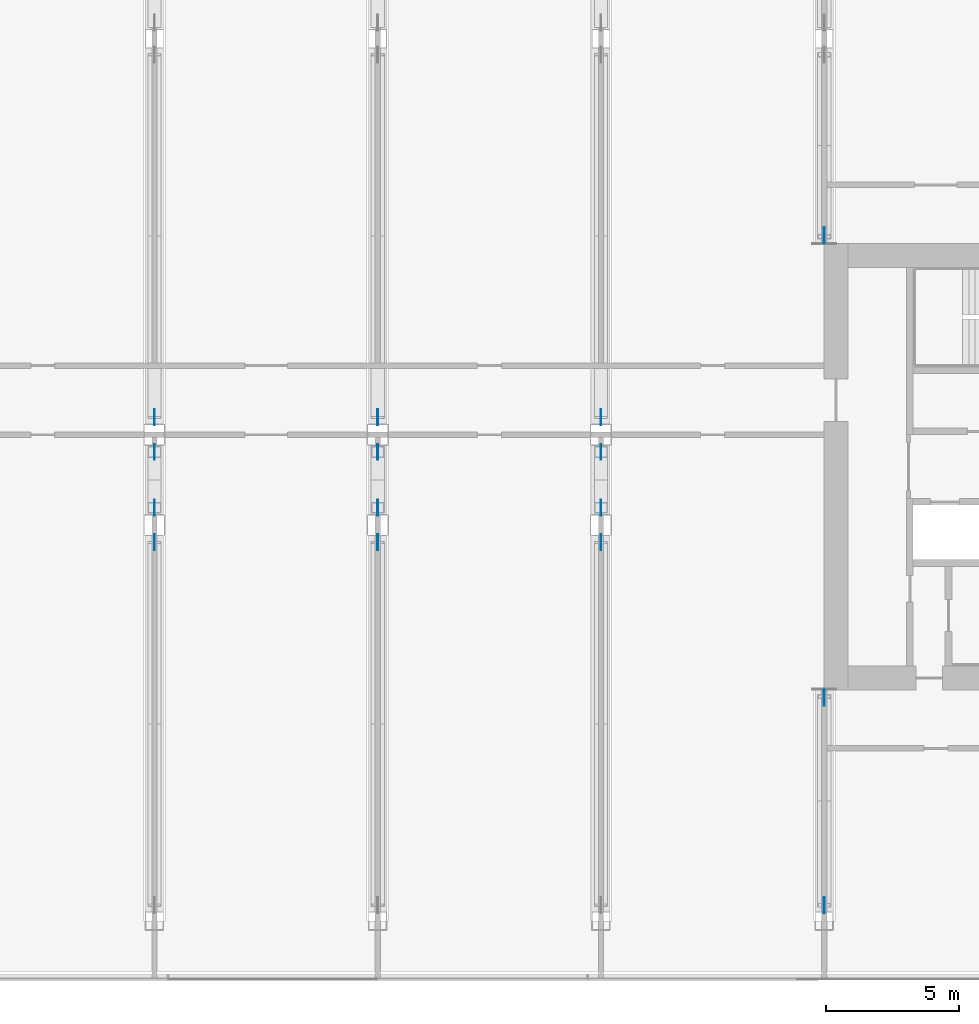
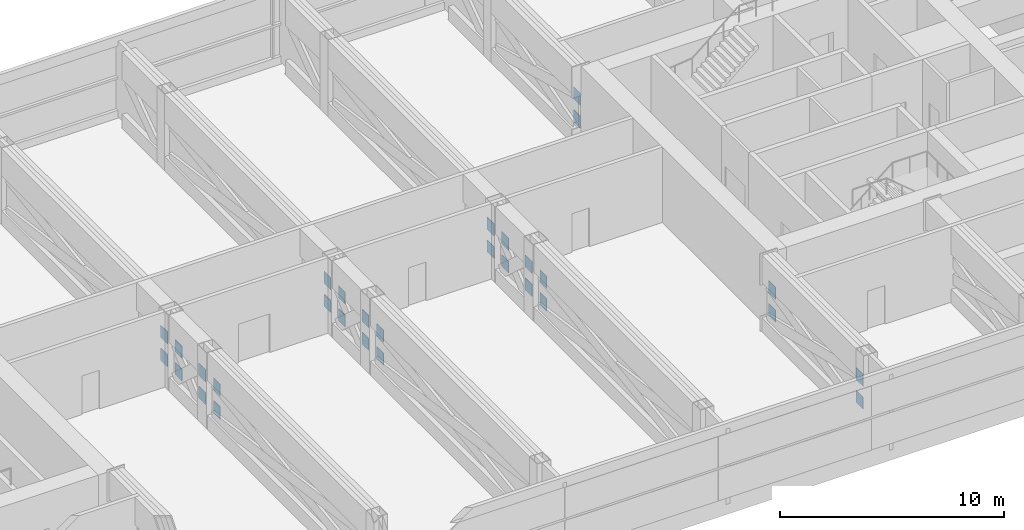
# One storey, part 25 of 33: 30 discrete accessories.
"""IFC4 building model written with IfcOpenShell, lengths in metres."""

from ifc_helpers import new_model, si_unit, direction, frame, origin, origin_2d, place, context, subcontext, project, spatial, rectangle, extrude, material, material_profile, profile_set, type_object, element, save


model = new_model("IFC4")

# Units and contexts
model_context = context("Model", 3, precision=1e-05, world=origin(), true_north=direction((0.0, 1.0)))
body_context = subcontext(model_context, "Body", "Model", "MODEL_VIEW")
ifc_project = project(units=[si_unit("LENGTHUNIT", "METRE"), si_unit("AREAUNIT", "SQUARE_METRE"), si_unit("VOLUMEUNIT", "CUBIC_METRE"), si_unit("PLANEANGLEUNIT", "RADIAN"), si_unit("MASSUNIT", "GRAM", prefix="KILO")], contexts=[model_context])

# Site, building, storey
site_placement = place(None, origin())
site = spatial("IfcSite", under=ifc_project, at=site_placement, CompositionType="ELEMENT")
building_placement = place(site_placement, origin())
building = spatial("IfcBuilding", under=site, at=building_placement, Name="Hakoniwa Tower and Hamabe Station Hall", CompositionType="ELEMENT")
storey_placement = place(building_placement, frame((0.0, 0.0, 175.800048828125)))
storey = spatial("IfcBuildingStorey", under=building, at=storey_placement, Name="L50", CompositionType="ELEMENT", Elevation=175.800048828125)

# Discrete accessories
ifc_material = material(Name="Steel SN490C", Category="steel")
ifc_material_profile = material_profile(ifc_material, rectangle(XDim=0.60009765625, YDim=0.659912109375, at=origin_2d()), Name="GUSSET PLATE BX-600x500x28")
ifc_profile_set = profile_set([ifc_material_profile], Name="Steel SN490C")
discrete_accessory_type = type_object("IfcDiscreteAccessoryType", Name="GUSSET PLATE BX-600x500x28", PredefinedType="USERDEFINED", material=ifc_profile_set)
for number, where, z_axis, x_axis, name in (
    (1, (-8.387451171875, -2.85009765625, 2.27001953125), (-1.0, 0.0, 0.0), (0.0, -1.0, 0.0), "Gusset plate T3-011-D01A"),
    (2, (-8.387451171875, -2.85009765625, 1.030029296875), (-1.0, 0.0, 0.0), (0.0, -1.0, 0.0), "Gusset plate T3-011-D01B"),
    (3, (-8.387451171875, -1.550048828125, 1.030029296875), (-1.0, 0.0, 0.0), (0.0, -1.0, 0.0), "Gusset plate T3-011-D02A"),
    (4, (-8.387451171875, 0.550048828125, 2.27001953125), (-1.0, 0.0, 0.0), (0.0, -1.0, 0.0), "Gusset plate T3-011-D02A"),
    (5, (-8.387451171875, -1.550048828125, 2.27001953125), (-1.0, 0.0, 0.0), (0.0, -1.0, 0.0), "Gusset plate T3-011-D02B"),
    (6, (-8.387451171875, 0.550048828125, 1.030029296875), (-1.0, 0.0, 0.0), (0.0, -1.0, 0.0), "Gusset plate T3-011-D02B"),
    (7, (-8.387451171875, 1.85009765625, 1.030029296875), (-1.0, 0.0, 0.0), (0.0, -1.0, 0.0), "Gusset plate T3-011-D03A"),
    (8, (-8.387451171875, 1.85009765625, 2.27001953125), (-1.0, 0.0, 0.0), (0.0, -1.0, 0.0), "Gusset plate T3-011-D03B"),
):
    element("IfcDiscreteAccessory", number, at=place(storey_placement, frame(where, z_axis=z_axis, x_axis=x_axis)), inside=storey, type_object=discrete_accessory_type, Name=name, ObjectType="GUSSET PLATE", PredefinedType="USERDEFINED", context=body_context, shape_type="SweptSolid", body=[
        extrude(rectangle(XDim=0.60009765625, YDim=0.659912109375, at=origin_2d()), origin(), (0.0, 0.0, 1.0), 0.025146484375),
    ])
for number, where, z_axis, x_axis, name in (
    (9, (0.012451171875, -2.85009765625, 2.27001953125), (-1.0, 0.0, 0.0), (0.0, -1.0, 0.0), "Gusset plate T3-012-D01A"),
    (10, (0.012451171875, -2.85009765625, 1.030029296875), (-1.0, 0.0, 0.0), (0.0, -1.0, 0.0), "Gusset plate T3-012-D01B"),
    (11, (0.012451171875, -1.550048828125, 1.030029296875), (-1.0, 0.0, 0.0), (0.0, -1.0, 0.0), "Gusset plate T3-012-D02A"),
    (12, (0.012451171875, 0.550048828125, 2.27001953125), (-1.0, 0.0, 0.0), (0.0, -1.0, 0.0), "Gusset plate T3-012-D02A"),
    (13, (0.012451171875, -1.550048828125, 2.27001953125), (-1.0, 0.0, 0.0), (0.0, -1.0, 0.0), "Gusset plate T3-012-D02B"),
    (14, (0.012451171875, 0.550048828125, 1.030029296875), (-1.0, 0.0, 0.0), (0.0, -1.0, 0.0), "Gusset plate T3-012-D02B"),
    (15, (0.012451171875, 1.85009765625, 1.030029296875), (-1.0, 0.0, 0.0), (0.0, -1.0, 0.0), "Gusset plate T3-012-D03A"),
    (16, (0.012451171875, 1.85009765625, 2.27001953125), (-1.0, 0.0, 0.0), (0.0, -1.0, 0.0), "Gusset plate T3-012-D03B"),
):
    element("IfcDiscreteAccessory", number, at=place(storey_placement, frame(where, z_axis=z_axis, x_axis=x_axis)), inside=storey, type_object=discrete_accessory_type, Name=name, ObjectType="GUSSET PLATE", PredefinedType="USERDEFINED", context=body_context, shape_type="SweptSolid", body=[
        extrude(rectangle(XDim=0.60009765625, YDim=0.659912109375, at=origin_2d()), origin(), (0.0, 0.0, 1.0), 0.02490234375),
    ])
for number, where, z_axis, x_axis, name in (
    (17, (8.41259765625, -2.85009765625, 2.27001953125), (-1.0, 0.0, 0.0), (0.0, -1.0, 0.0), "Gusset plate T3-013-D01A"),
    (18, (8.41259765625, -2.85009765625, 1.030029296875), (-1.0, 0.0, 0.0), (0.0, -1.0, 0.0), "Gusset plate T3-013-D01B"),
    (19, (8.41259765625, -1.550048828125, 1.030029296875), (-1.0, 0.0, 0.0), (0.0, -1.0, 0.0), "Gusset plate T3-013-D02A"),
    (20, (8.41259765625, 0.550048828125, 2.27001953125), (-1.0, 0.0, 0.0), (0.0, -1.0, 0.0), "Gusset plate T3-013-D02A"),
    (21, (8.41259765625, -1.550048828125, 2.27001953125), (-1.0, 0.0, 0.0), (0.0, -1.0, 0.0), "Gusset plate T3-013-D02B"),
    (22, (8.41259765625, 0.550048828125, 1.030029296875), (-1.0, 0.0, 0.0), (0.0, -1.0, 0.0), "Gusset plate T3-013-D02B"),
    (23, (8.41259765625, 1.85009765625, 1.030029296875), (-1.0, 0.0, 0.0), (0.0, -1.0, 0.0), "Gusset plate T3-013-D03A"),
    (24, (8.41259765625, 1.85009765625, 2.27001953125), (-1.0, 0.0, 0.0), (0.0, -1.0, 0.0), "Gusset plate T3-013-D03B"),
):
    element("IfcDiscreteAccessory", number, at=place(storey_placement, frame(where, z_axis=z_axis, x_axis=x_axis)), inside=storey, type_object=discrete_accessory_type, Name=name, ObjectType="GUSSET PLATE", PredefinedType="USERDEFINED", context=body_context, shape_type="SweptSolid", body=[
        extrude(rectangle(XDim=0.60009765625, YDim=0.659912109375, at=origin_2d()), origin(), (0.0, 0.0, 1.0), 0.025146484375),
    ])
for number, where, z_axis, x_axis, name in (
    (25, (16.8125, -16.5, 1.030029296875), (-1.0, 0.0, 0.0), (0.0, -1.0, 0.0), "Gusset plate T3-014-D01A"),
    (26, (16.8125, -8.699951171875, 2.27001953125), (-1.0, 0.0, 0.0), (0.0, -1.0, 0.0), "Gusset plate T3-014-D01A"),
    (27, (16.8125, -16.5, 2.27001953125), (-1.0, 0.0, 0.0), (0.0, -1.0, 0.0), "Gusset plate T3-014-D01B"),
    (28, (16.8125, -8.699951171875, 1.030029296875), (-1.0, 0.0, 0.0), (0.0, -1.0, 0.0), "Gusset plate T3-014-D01B"),
    (29, (16.8125, 8.699951171875, 1.030029296875), (-1.0, 0.0, 0.0), (0.0, -1.0, 0.0), "Gusset plate T3-015-D01A"),
    (30, (16.8125, 8.699951171875, 2.27001953125), (-1.0, 0.0, 0.0), (0.0, -1.0, 0.0), "Gusset plate T3-015-D01B"),
):
    element("IfcDiscreteAccessory", number, at=place(storey_placement, frame(where, z_axis=z_axis, x_axis=x_axis)), inside=storey, type_object=discrete_accessory_type, Name=name, ObjectType="GUSSET PLATE", PredefinedType="USERDEFINED", context=body_context, shape_type="SweptSolid", body=[
        extrude(rectangle(XDim=0.60009765625, YDim=0.659912109375, at=origin_2d()), origin(), (0.0, 0.0, 1.0), 0.02490234375),
    ])

save(model, "model.ifc")
